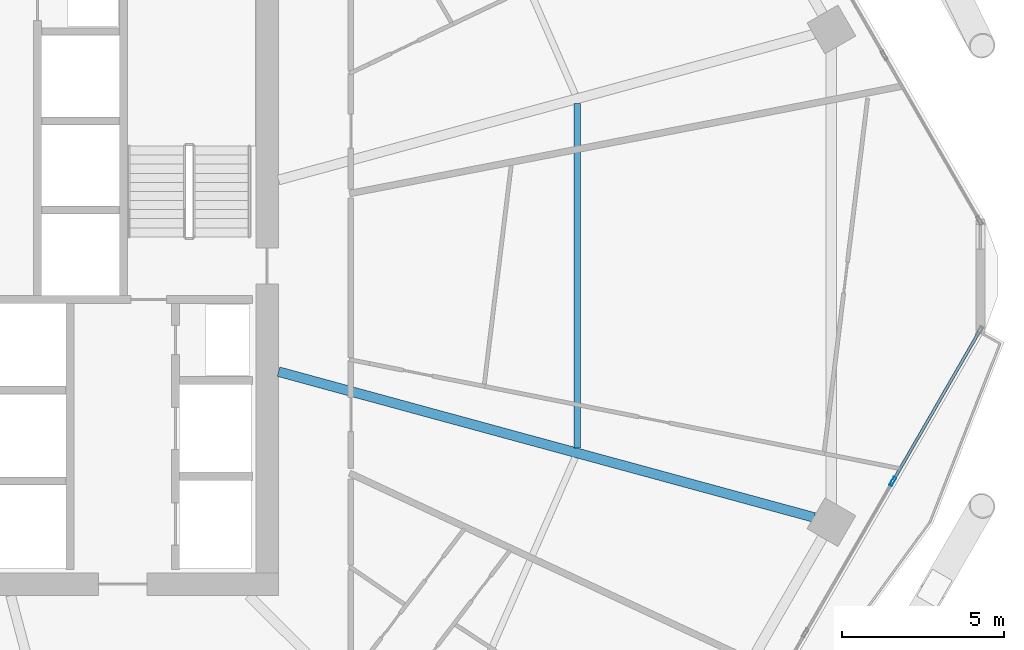
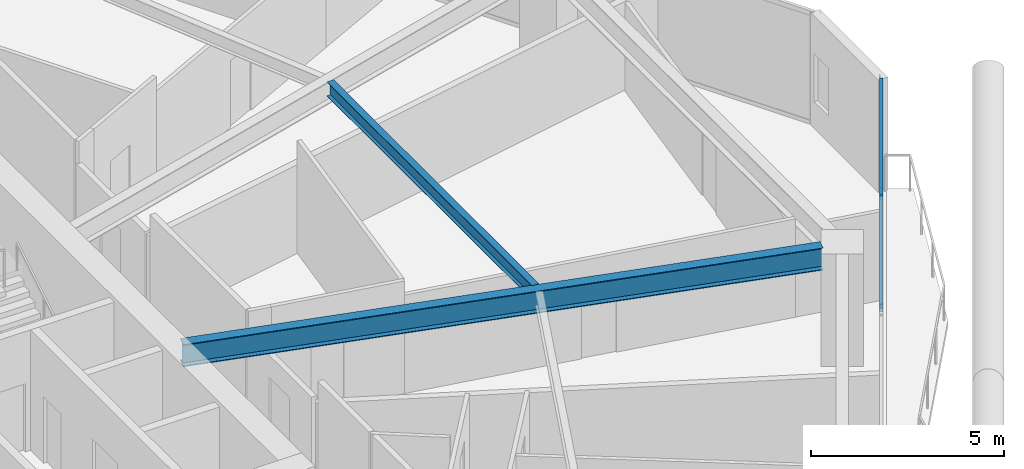
# One storey, part 12 of 34: 3 members, 2 beams, 1 element without a shape of its own.
"""IFC4 building model written with IfcOpenShell, lengths in metres."""

from ifc_helpers import new_model, si_unit, direction, frame, origin, origin_2d, place, context, subcontext, project, spatial, hollow_rectangle, i_section, extrude, material, material_profile, profile_set, type_object, element, aggregate, save


model = new_model("IFC4")

# Units and contexts
model_context = context("Model", 3, precision=1e-05, world=origin(), true_north=direction((0.0, 1.0)))
body_context = subcontext(model_context, "Body", "Model", "MODEL_VIEW")
ifc_project = project(units=[si_unit("LENGTHUNIT", "METRE"), si_unit("AREAUNIT", "SQUARE_METRE"), si_unit("VOLUMEUNIT", "CUBIC_METRE"), si_unit("PLANEANGLEUNIT", "RADIAN"), si_unit("MASSUNIT", "GRAM", prefix="KILO")], contexts=[model_context])

# Site, building, storey
site_placement = place(None, origin())
site = spatial("IfcSite", under=ifc_project, at=site_placement, CompositionType="ELEMENT")
building_placement = place(site_placement, origin())
building = spatial("IfcBuilding", under=site, at=building_placement, Name="Zuhravey Tower", CompositionType="ELEMENT")
storey_placement = place(building_placement, frame((0.0, 0.0, 130.39990234375)))
storey = spatial("IfcBuildingStorey", under=building, at=storey_placement, Name="L32", CompositionType="ELEMENT", Elevation=130.39990234375)

# Curtain wall, members
ifc_material_1 = material(Name="Thermally broken anodised aluminium", Category="aluminium")
curtain_wall_type = type_object("IfcCurtainWallType", Name="Zone 1-2 Residential Curtain Wall CW3", PredefinedType="NOTDEFINED", material=ifc_material_1)
curtain_wall_placement = place(storey_placement, origin())
curtain_wall = element("IfcCurtainWall", 1, at=curtain_wall_placement, inside=storey, type_object=curtain_wall_type, Name="L32 CW3 CW-L32-F6-1", PredefinedType="NOTDEFINED")
ifc_material_2 = material(Name="Anodised aluminium", Category="aluminium")
ifc_material_profile_1 = material_profile(ifc_material_2, hollow_rectangle(XDim=0.090087890625, YDim=0.284912109375, WallThickness=0.0048828125, at=origin_2d()), Name="ALU-RHS-90x285x5")
ifc_profile_set_1 = profile_set([ifc_material_profile_1], Name="Anodised aluminium")
member_type_1 = type_object("IfcMemberType", Name="Curtain-Wall Mullion 90x180", PredefinedType="MULLION", material=ifc_profile_set_1)
member_1_placement = place(storey_placement, frame((65.78173828125, 25.66650390625, 0.0), z_axis=(0.0, 0.0, 1.0), x_axis=(0.866025653253, -0.499999567908, 0.0)))
member_1 = element("IfcMember", 2, at=member_1_placement, type_object=member_type_1, Name="CW3 mullion 2", PredefinedType="MULLION", context=body_context, shape_type="SweptSolid", body=[
    extrude(hollow_rectangle(XDim=0.090087890625, YDim=0.284912109375, WallThickness=0.0048828125, at=origin_2d()), origin(), (0.0, 0.0, 1.0), 3.550048828125),
])
ifc_material_profile_2 = material_profile(ifc_material_2, hollow_rectangle(XDim=0.090087890625, YDim=0.14990234375, WallThickness=0.0048828125, at=origin_2d()), Name="ALU-RHS-90x150x5")
ifc_profile_set_2 = profile_set([ifc_material_profile_2], Name="Anodised aluminium")
member_type_2 = type_object("IfcMemberType", Name="Curtain-Wall Transom 90x150", PredefinedType="USERDEFINED", material=ifc_profile_set_2)
member_2_placement = place(storey_placement, frame((68.43359375, 30.259521484375, 0.045166015625), z_axis=(-0.500023866855, -0.866011623811, 0.0), x_axis=(0.866011623811, -0.500023866855, 0.0)))
member_2 = element("IfcMember", 3, at=member_2_placement, type_object=member_type_2, Name="CW3 transom 1.1", ObjectType="TRANSOM", PredefinedType="USERDEFINED", context=body_context, shape_type="SweptSolid", body=[
    extrude(hollow_rectangle(XDim=0.090087890625, YDim=0.14990234375, WallThickness=0.0048828125, at=origin_2d()), origin(), (0.0, 0.0, 1.0), 5.258544921875),
])
member_3_placement = place(storey_placement, frame((68.43359375, 30.259521484375, 3.505126953125), z_axis=(-0.500023866855, -0.866011623811, 0.0), x_axis=(0.866011623811, -0.500023866855, 0.0)))
member_3 = element("IfcMember", 4, at=member_3_placement, type_object=member_type_2, Name="CW3 transom 1.2", ObjectType="TRANSOM", PredefinedType="USERDEFINED", context=body_context, shape_type="SweptSolid", body=[
    extrude(hollow_rectangle(XDim=0.090087890625, YDim=0.14990234375, WallThickness=0.0048828125, at=origin_2d()), origin(), (0.0, 0.0, 1.0), 5.258544921875),
])
aggregate(curtain_wall, [member_1, member_2, member_3])

# Beams
ifc_material_3 = material(Name="Steel SM355", Category="steel")
ifc_material_profile_3 = material_profile(ifc_material_3, i_section(OverallWidth=0.300048828125, OverallDepth=0.699951171875, WebThickness=0.012939453125, FlangeThickness=0.02392578125, at=origin_2d()), Name="H-700x300x13x24")
ifc_profile_set_3 = profile_set([ifc_material_profile_3], Name="Steel SM355")
beam_type_1 = type_object("IfcBeamType", Name="Radial Primary Girder H700x300", PredefinedType="BEAM", material=ifc_profile_set_3)
beam_1_placement = place(storey_placement, frame((46.85302734375, 29.045654296875, 3.2001953125), z_axis=(0.964893166225, -0.262642680791, 0.0), x_axis=(0.262642680791, 0.964893166225, 0.0)))
element("IfcBeam", 5, at=beam_1_placement, inside=storey, type_object=beam_type_1, Name="L32 RG1 BM-L32-RAD-12", PredefinedType="BEAM", context=body_context, shape_type="SweptSolid", body=[
    extrude(i_section(OverallWidth=0.300048828125, OverallDepth=0.699951171875, WebThickness=0.012939453125, FlangeThickness=0.02392578125, at=origin_2d()), origin(), (0.0, 0.0, 1.0), 17.102783203125),
])
ifc_material_profile_4 = material_profile(ifc_material_3, i_section(OverallWidth=0.199951171875, OverallDepth=0.449951171875, WebThickness=0.009033203125, FlangeThickness=0.013916015625, at=origin_2d()), Name="H-450x200x9x14")
ifc_profile_set_4 = profile_set([ifc_material_profile_4], Name="Steel SM355")
beam_type_2 = type_object("IfcBeamType", Name="Secondary Floor Joist H450x200", PredefinedType="JOIST", material=ifc_profile_set_4)
beam_2_placement = place(storey_placement, frame((56.052490234375, 26.695556640625, 3.3251953125), z_axis=(0.0, 1.0, 0.0), x_axis=(-1.0, 0.0, 0.0)))
element("IfcBeam", 6, at=beam_2_placement, inside=storey, type_object=beam_type_2, Name="L32 SJ1 BM-L32-SJ-12-1", PredefinedType="JOIST", context=body_context, shape_type="SweptSolid", body=[
    extrude(i_section(OverallWidth=0.199951171875, OverallDepth=0.449951171875, WebThickness=0.009033203125, FlangeThickness=0.013916015625, at=origin_2d()), origin(), (0.0, 0.0, 1.0), 10.60888671875),
])

save(model, "model.ifc")
